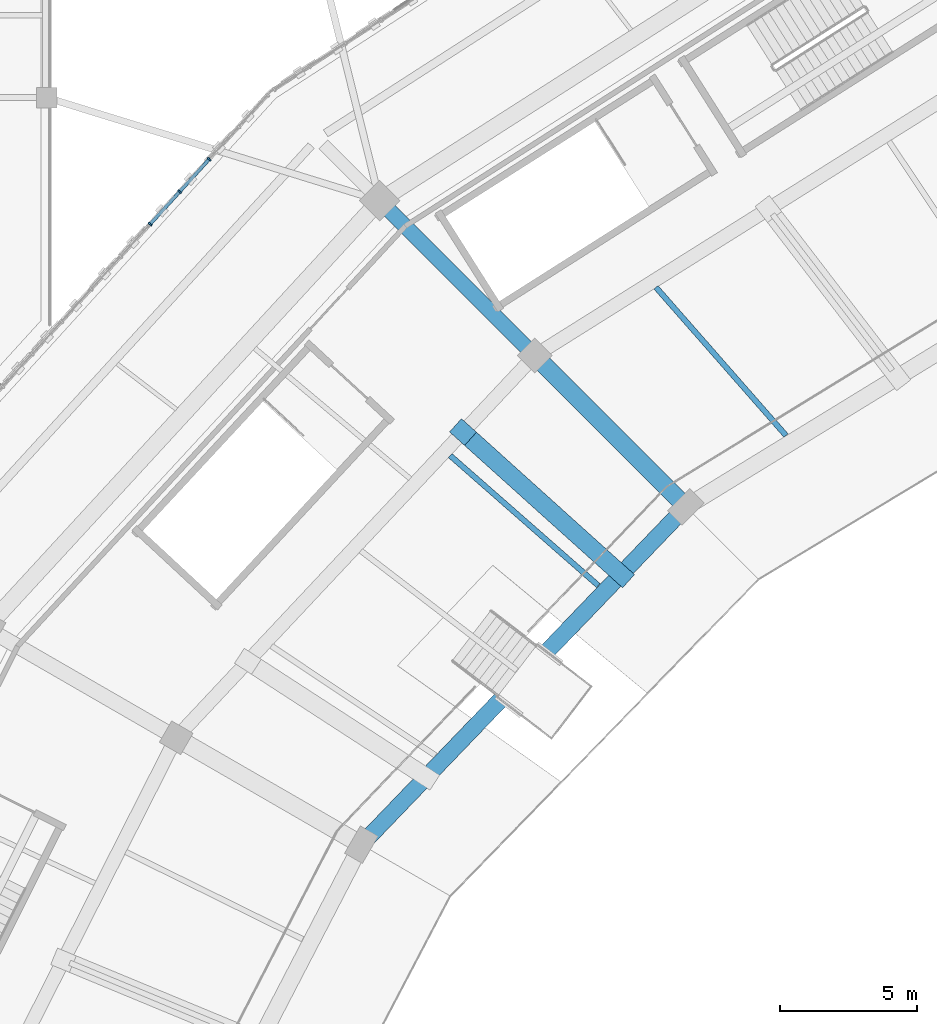
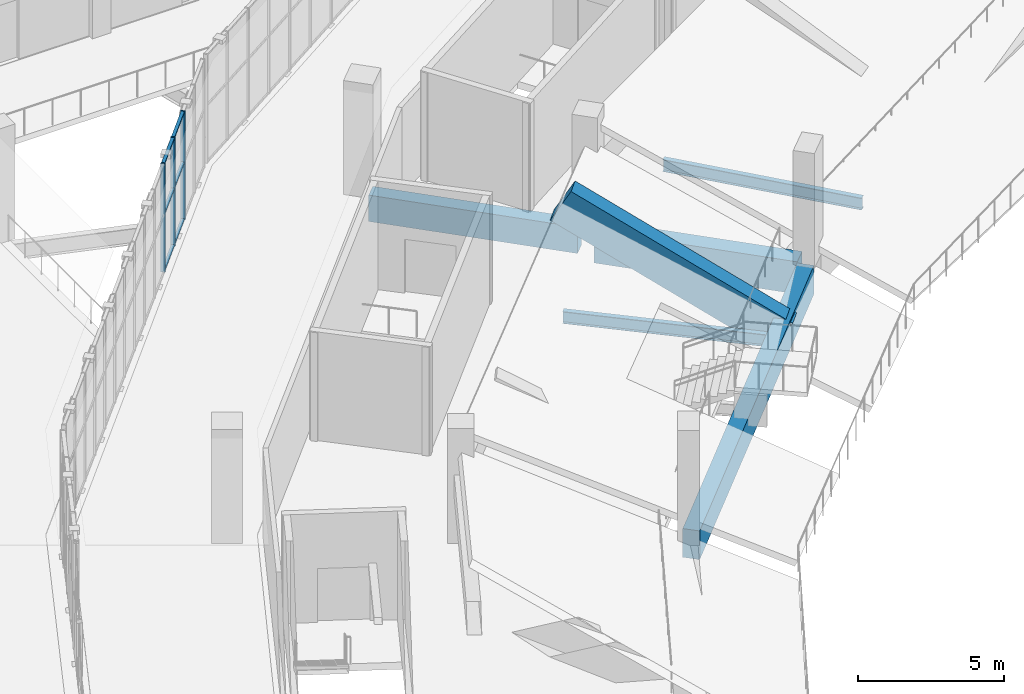
# One storey, part 47 of 152: 9 members, 6 beams, 1 element without a shape of its own.
"""IFC4 building model written with IfcOpenShell, lengths in metres."""

from ifc_helpers import new_model, si_unit, direction, frame, origin, origin_2d, place, context, subcontext, project, spatial, rectangle, i_section, extrude, material, material_profile, profile_set, type_object, element, aggregate, save


model = new_model("IFC4")

# Units and contexts
model_context = context("Model", 3, precision=1e-05, world=origin(), true_north=direction((0.0, 1.0)))
body_context = subcontext(model_context, "Body", "Model", "MODEL_VIEW")
ifc_project = project(units=[si_unit("LENGTHUNIT", "METRE"), si_unit("AREAUNIT", "SQUARE_METRE"), si_unit("VOLUMEUNIT", "CUBIC_METRE"), si_unit("PLANEANGLEUNIT", "RADIAN"), si_unit("MASSUNIT", "GRAM", prefix="KILO")], contexts=[model_context])

# Site, building, storey
site_placement = place(None, origin())
site = spatial("IfcSite", under=ifc_project, at=site_placement, CompositionType="ELEMENT")
building_placement = place(site_placement, origin())
building = spatial("IfcBuilding", under=site, at=building_placement, Name="Zevraka Park Crest Stadium", CompositionType="ELEMENT")
storey_placement = place(building_placement, frame((0.0, 0.0, 15.0)))
storey = spatial("IfcBuildingStorey", under=building, at=storey_placement, Name="L03", CompositionType="ELEMENT", Elevation=15.0)

# Beams
ifc_material_1 = material(Name="Concrete C40/50", Category="concrete")
ifc_material_profile_1 = material_profile(ifc_material_1, rectangle(XDim=0.64990234375, YDim=1.35009765625, at=origin_2d()), Name="RC 1350x650")
ifc_profile_set_1 = profile_set([ifc_material_profile_1], Name="Concrete C40/50")
beam_type_1 = type_object("IfcBeamType", Name="BG01", PredefinedType="BEAM", material=ifc_profile_set_1)
beam_1_placement = place(storey_placement, frame((59.10888671875, 134.284912109375, -0.68505859375), z_axis=(-0.707157639372, 0.707055919343, 0.0), x_axis=(-0.707055919343, -0.707157639372, 0.0)))
element("IfcBeam", 1, at=beam_1_placement, inside=storey, type_object=beam_type_1, Name="Radial Girder BG01 L03-BC-09", PredefinedType="BEAM", context=body_context, shape_type="SweptSolid", body=[
    extrude(rectangle(XDim=0.64990234375, YDim=1.35009765625, at=origin_2d()), origin(), (0.0, 0.0, 1.0), 7.200439453125),
])
ifc_material_2 = material(Name="Concrete C40/50", Category="concrete")
ifc_material_profile_2 = material_profile(ifc_material_2, rectangle(XDim=0.550048828125, YDim=1.10009765625, at=origin_2d()), Name="RC 1100x550")
ifc_profile_set_2 = profile_set([ifc_material_profile_2], Name="Concrete C40/50")
beam_type_2 = type_object("IfcBeamType", Name="BG02", PredefinedType="BEAM", material=ifc_profile_set_2)
beam_2_placement = place(storey_placement, frame((53.593017578125, 139.800048828125, -0.56005859375), z_axis=(-0.707106781187, 0.707106781187, 0.0), x_axis=(-0.707106781187, -0.707106781187, 0.0)))
element("IfcBeam", 2, at=beam_2_placement, inside=storey, type_object=beam_type_2, Name="Radial Girder BG02 L03-CD-09", PredefinedType="BEAM", context=body_context, shape_type="SweptSolid", body=[
    extrude(rectangle(XDim=0.550048828125, YDim=1.10009765625, at=origin_2d()), origin(), (0.0, 0.0, 1.0), 7.400390625),
])

# Curtain wall, members
ifc_material_3 = material(Name="Anodised architectural aluminium and laminated safety glass", Category="aluminium")
curtain_wall_type = type_object("IfcCurtainWallType", Name="CW13", PredefinedType="NOTDEFINED", material=ifc_material_3)
curtain_wall_placement = place(storey_placement, origin())
curtain_wall = element("IfcCurtainWall", 3, at=curtain_wall_placement, inside=storey, type_object=curtain_wall_type, Name="Unitised Ring Curtain Wall CW13 L03-09", PredefinedType="NOTDEFINED")
ifc_material_4 = material(Name="Anodised architectural aluminium", Category="aluminium")
ifc_material_profile_3 = material_profile(ifc_material_4, rectangle(XDim=0.159912109375, YDim=0.06005859375, at=origin_2d()), Name="ALU MULLION 160x60")
ifc_profile_set_3 = profile_set([ifc_material_profile_3], Name="Anodised architectural aluminium")
member_type_1 = type_object("IfcMemberType", Name="CM01", PredefinedType="MULLION", material=ifc_profile_set_3)
member_1_placement = place(storey_placement, frame((41.930419921875, 146.751953125, 0.0), z_axis=(0.0, 0.0, 1.0), x_axis=(0.739822878481, -0.672801685845, 0.0)))
member_1 = element("IfcMember", 4, at=member_1_placement, type_object=member_type_1, Name="CW13 mullion 3", PredefinedType="MULLION", context=body_context, shape_type="SweptSolid", body=[
    extrude(rectangle(XDim=0.159912109375, YDim=0.06005859375, at=origin_2d()), origin(), (0.0, 0.0, 1.0), 4.5400390625),
])
member_2_placement = place(storey_placement, frame((40.854248046875, 145.568603515625, 0.0), z_axis=(0.0, 0.0, 1.0), x_axis=(0.739822878481, -0.672801685845, 0.0)))
member_2 = element("IfcMember", 5, at=member_2_placement, type_object=member_type_1, Name="CW13 mullion 4", PredefinedType="MULLION", context=body_context, shape_type="SweptSolid", body=[
    extrude(rectangle(XDim=0.159912109375, YDim=0.06005859375, at=origin_2d()), origin(), (0.0, 0.0, 1.0), 4.5400390625),
])
member_3_placement = place(storey_placement, frame((39.77783203125, 144.385009765625, 0.0), z_axis=(0.0, 0.0, 1.0), x_axis=(0.739822878481, -0.672801685845, 0.0)))
member_3 = element("IfcMember", 6, at=member_3_placement, type_object=member_type_1, Name="CW13 mullion 5", PredefinedType="MULLION", context=body_context, shape_type="SweptSolid", body=[
    extrude(rectangle(XDim=0.159912109375, YDim=0.06005859375, at=origin_2d()), origin(), (0.0, 0.0, 1.0), 4.5400390625),
])
ifc_material_5 = material(Name="Anodised architectural aluminium", Category="aluminium")
ifc_material_profile_4 = material_profile(ifc_material_5, rectangle(XDim=0.1201171875, YDim=0.06005859375, at=origin_2d()), Name="ALU TRANSOM 120x60")
ifc_profile_set_4 = profile_set([ifc_material_profile_4], Name="Anodised architectural aluminium")
member_type_2 = type_object("IfcMemberType", Name="CT01", PredefinedType="USERDEFINED", material=ifc_profile_set_4)
member_4_placement = place(storey_placement, frame((41.91015625, 146.729736328125, 0.030029296875), z_axis=(-0.672775385986, -0.739846794959, 0.0), x_axis=(0.739846794959, -0.672775385986, 0.0)))
member_4 = element("IfcMember", 7, at=member_4_placement, type_object=member_type_2, Name="CW13 transom 3.1", ObjectType="TRANSOM", PredefinedType="USERDEFINED", context=body_context, shape_type="SweptSolid", body=[
    extrude(rectangle(XDim=0.1201171875, YDim=0.06005859375, at=origin_2d()), origin(), (0.0, 0.0, 1.0), 1.539794921875),
])
member_5_placement = place(storey_placement, frame((41.91015625, 146.729736328125, 2.39990234375), z_axis=(-0.672775385986, -0.739846794959, 0.0), x_axis=(0.739846794959, -0.672775385986, 0.0)))
member_5 = element("IfcMember", 8, at=member_5_placement, type_object=member_type_2, Name="CW13 transom 3.2", ObjectType="TRANSOM", PredefinedType="USERDEFINED", context=body_context, shape_type="SweptSolid", body=[
    extrude(rectangle(XDim=0.1201171875, YDim=0.06005859375, at=origin_2d()), origin(), (0.0, 0.0, 1.0), 1.539794921875),
])
member_6_placement = place(storey_placement, frame((41.91015625, 146.729736328125, 4.510009765625), z_axis=(-0.672775385986, -0.739846794959, 0.0), x_axis=(0.739846794959, -0.672775385986, 0.0)))
member_6 = element("IfcMember", 9, at=member_6_placement, type_object=member_type_2, Name="CW13 transom 3.3", ObjectType="TRANSOM", PredefinedType="USERDEFINED", context=body_context, shape_type="SweptSolid", body=[
    extrude(rectangle(XDim=0.1201171875, YDim=0.06005859375, at=origin_2d()), origin(), (0.0, 0.0, 1.0), 1.539794921875),
])
member_7_placement = place(storey_placement, frame((40.833984375, 145.54638671875, 0.030029296875), z_axis=(-0.672775385986, -0.739846794959, 0.0), x_axis=(0.739846794959, -0.672775385986, 0.0)))
member_7 = element("IfcMember", 10, at=member_7_placement, type_object=member_type_2, Name="CW13 transom 4.1", ObjectType="TRANSOM", PredefinedType="USERDEFINED", context=body_context, shape_type="SweptSolid", body=[
    extrude(rectangle(XDim=0.1201171875, YDim=0.06005859375, at=origin_2d()), origin(), (0.0, 0.0, 1.0), 1.539794921875),
])
member_8_placement = place(storey_placement, frame((40.833984375, 145.54638671875, 2.39990234375), z_axis=(-0.672775385986, -0.739846794959, 0.0), x_axis=(0.739846794959, -0.672775385986, 0.0)))
member_8 = element("IfcMember", 11, at=member_8_placement, type_object=member_type_2, Name="CW13 transom 4.2", ObjectType="TRANSOM", PredefinedType="USERDEFINED", context=body_context, shape_type="SweptSolid", body=[
    extrude(rectangle(XDim=0.1201171875, YDim=0.06005859375, at=origin_2d()), origin(), (0.0, 0.0, 1.0), 1.539794921875),
])
member_9_placement = place(storey_placement, frame((40.833984375, 145.54638671875, 4.510009765625), z_axis=(-0.672775385986, -0.739846794959, 0.0), x_axis=(0.739846794959, -0.672775385986, 0.0)))
member_9 = element("IfcMember", 12, at=member_9_placement, type_object=member_type_2, Name="CW13 transom 4.3", ObjectType="TRANSOM", PredefinedType="USERDEFINED", context=body_context, shape_type="SweptSolid", body=[
    extrude(rectangle(XDim=0.1201171875, YDim=0.06005859375, at=origin_2d()), origin(), (0.0, 0.0, 1.0), 1.539794921875),
])
aggregate(curtain_wall, [member_1, member_2, member_3, member_4, member_5, member_6, member_7, member_8, member_9])

# Beams
ifc_material_6 = material(Name="Concrete C40/50", Category="concrete")
ifc_material_profile_5 = material_profile(ifc_material_6, rectangle(XDim=0.60009765625, YDim=1.199951171875, at=origin_2d()), Name="RC 1200x600")
ifc_profile_set_5 = profile_set([ifc_material_profile_5], Name="Concrete C40/50")
beam_type_3 = type_object("IfcBeamType", Name="RB01", PredefinedType="BEAM", material=ifc_profile_set_5)
beam_3_placement = place(storey_placement, frame((59.05810546875, 133.799072265625, -0.610107421875), z_axis=(-0.692852617328, -0.721079226342, 0.0), x_axis=(0.721079226342, -0.692852617328, 0.0)))
element("IfcBeam", 13, at=beam_3_placement, inside=storey, type_object=beam_type_3, Name="Ring Beam RB01 L03-B-09", PredefinedType="BEAM", context=body_context, shape_type="SweptSolid", body=[
    extrude(rectangle(XDim=0.60009765625, YDim=1.199951171875, at=origin_2d()), origin(), (0.0, 0.0, 1.0), 16.329833984375),
])
ifc_material_7 = material(Name="Concrete C40/50", Category="concrete")
ifc_material_profile_6 = material_profile(ifc_material_7, rectangle(XDim=0.64990234375, YDim=1.5, at=origin_2d()), Name="RC 1500x650")
ifc_profile_set_6 = profile_set([ifc_material_profile_6], Name="Concrete C40/50")
beam_type_4 = type_object("IfcBeamType", Name="RK02", PredefinedType="BEAM", material=ifc_profile_set_6)
beam_4_placement = place(storey_placement, frame((56.952880859375, 131.60791015625, -0.800048828125), z_axis=(-0.646991998411, 0.582810742945, 0.491663494578), x_axis=(-0.669293285846, -0.742998315961, 0.0)))
element("IfcBeam", 14, at=beam_4_placement, inside=storey, type_object=beam_type_4, Name="Upper Bowl Main Raker Girder RK02 09-1", PredefinedType="BEAM", context=body_context, shape_type="SweptSolid", body=[
    extrude(rectangle(XDim=0.64990234375, YDim=1.5, at=origin_2d()), origin(), (0.0, 0.0, 1.0), 8.90869140625),
])
ifc_material_8 = material(Name="Steel S355", Category="steel")
ifc_material_profile_7 = material_profile(ifc_material_8, i_section(OverallWidth=0.199951171875, OverallDepth=0.5, WebThickness=0.01025390625, FlangeThickness=0.01611328125, at=origin_2d()), Name="IPE 500")
ifc_profile_set_7 = profile_set([ifc_material_profile_7], Name="Steel S355")
beam_type_5 = type_object("IfcBeamType", Name="SJ10", PredefinedType="JOIST", material=ifc_profile_set_7)
beam_5_placement = place(storey_placement, frame((62.969970703125, 136.674072265625, -0.55810546875), z_axis=(-0.659576187041, 0.751637714254, 0.0), x_axis=(-0.751637714254, -0.659576187041, 0.0)))
element("IfcBeam", 15, at=beam_5_placement, inside=storey, type_object=beam_type_5, Name="Floor Joist SJ10 L03-BC-08-3", PredefinedType="JOIST", context=body_context, shape_type="SweptSolid", body=[
    extrude(i_section(OverallWidth=0.199951171875, OverallDepth=0.5, WebThickness=0.01025390625, FlangeThickness=0.01611328125, at=origin_2d()), origin(), (0.0, 0.0, 1.0), 7.189453125),
])
beam_6_placement = place(storey_placement, frame((56.1240234375, 131.199951171875, -0.55810546875), z_axis=(-0.751711566798, 0.65949201689, 0.0), x_axis=(-0.65949201689, -0.751711566798, 0.0)))
element("IfcBeam", 16, at=beam_6_placement, inside=storey, type_object=beam_type_5, Name="Floor Joist SJ10 L03-BC-09-1", PredefinedType="JOIST", context=body_context, shape_type="SweptSolid", body=[
    extrude(i_section(OverallWidth=0.199951171875, OverallDepth=0.5, WebThickness=0.01025390625, FlangeThickness=0.01611328125, at=origin_2d()), origin(), (0.0, 0.0, 1.0), 7.190185546875),
])

save(model, "model.ifc")
